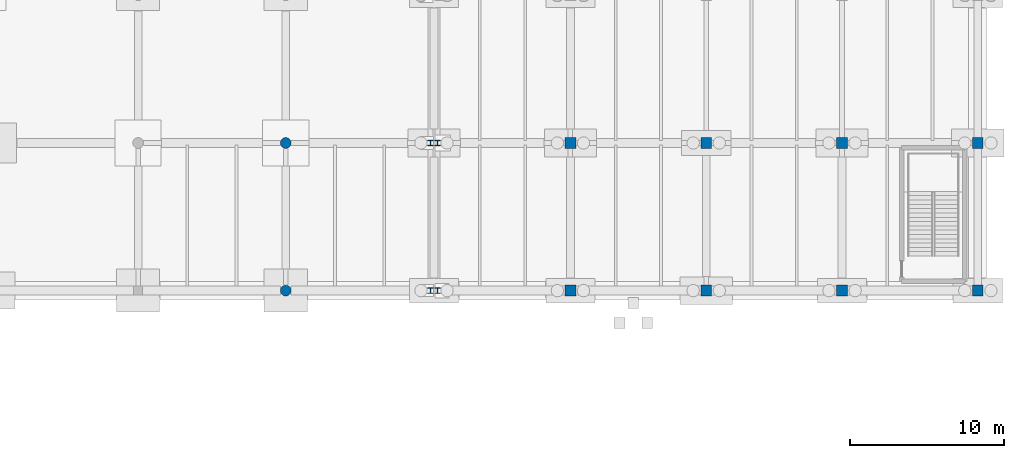
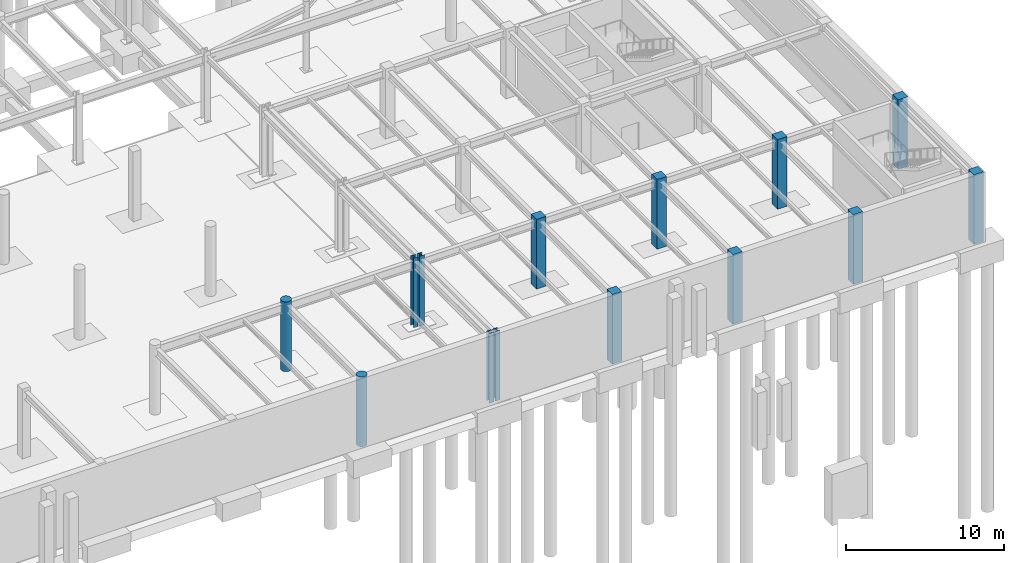
# One storey, part 24 of 50: 14 columns.
"""IFC4 building model written with IfcOpenShell, lengths in metres."""

from ifc_helpers import new_model, si_unit, direction, frame, origin, origin_2d, place, context, subcontext, project, spatial, rectangle, circle, i_section, extrude, material, material_profile, profile_set, type_object, element, save


model = new_model("IFC4")

# Units and contexts
model_context = context("Model", 3, precision=1e-05, world=origin(), true_north=direction((0.0, 1.0)))
body_context = subcontext(model_context, "Body", "Model", "MODEL_VIEW")
ifc_project = project(units=[si_unit("LENGTHUNIT", "METRE"), si_unit("AREAUNIT", "SQUARE_METRE"), si_unit("VOLUMEUNIT", "CUBIC_METRE"), si_unit("PLANEANGLEUNIT", "RADIAN"), si_unit("MASSUNIT", "GRAM", prefix="KILO")], contexts=[model_context])

# Site, building, storey
site_placement = place(None, origin())
site = spatial("IfcSite", under=ifc_project, at=site_placement, CompositionType="ELEMENT")
building_placement = place(site_placement, origin())
building = spatial("IfcBuilding", under=site, at=building_placement, Name="Yeouljin Market Hall", CompositionType="ELEMENT")
storey_placement = place(building_placement, frame((0.0, 0.0, -5.39990234375)))
storey = spatial("IfcBuildingStorey", under=building, at=storey_placement, Name="B1", CompositionType="ELEMENT", Elevation=-5.39990234375)

# Columns
ifc_material_1 = material(Name="Steel SM355", Category="steel")
ifc_material_profile_1 = material_profile(ifc_material_1, i_section(OverallWidth=0.35009765625, OverallDepth=0.35009765625, WebThickness=0.011962890625, FlangeThickness=0.01904296875, FilletRadius=0.02001953125, at=origin_2d()), Name="H-350x350x12x19")
ifc_profile_set_1 = profile_set([ifc_material_profile_1], Name="Steel SM355")
column_type_1 = type_object("IfcColumnType", Name="Col_H-350x350x12x19", PredefinedType="COLUMN", material=ifc_profile_set_1)
for number, where, z_axis, x_axis, name in (
    (1, (140.81005859375, 0.0, 0.0), (0.0, 0.0, 1.0), (1.0, 0.0, 0.0), "Column G-16-00 (B1)"),
    (2, (140.81005859375, 9.60009765625, 0.0), (0.0, 0.0, 1.0), (1.0, 0.0, 0.0), "Column G-16-01 (B1)"),
    (3, (141.27001953125, 0.0, 0.0), (0.0, 0.0, 1.0), (1.0, 0.0, 0.0), "Column G-17-00 (B1)"),
    (4, (141.27001953125, 9.60009765625, 0.0), (0.0, 0.0, 1.0), (1.0, 0.0, 0.0), "Column G-17-01 (B1)"),
):
    element("IfcColumn", number, at=place(storey_placement, frame(where, z_axis=z_axis, x_axis=x_axis)), inside=storey, type_object=column_type_1, Name=name, PredefinedType="COLUMN", context=body_context, shape_type="SweptSolid", body=[
        extrude(i_section(OverallWidth=0.35009765625, OverallDepth=0.35009765625, WebThickness=0.011962890625, FlangeThickness=0.01904296875, FilletRadius=0.02001953125, at=origin_2d()), origin(), (0.0, 0.0, 1.0), 5.39990234375),
    ])
ifc_material_2 = material(Name="Concrete C35/45", Category="concrete")
ifc_material_profile_2 = material_profile(ifc_material_2, rectangle(XDim=0.699951171875, YDim=0.699951171875, at=origin_2d()), Name="RC-700x700")
ifc_profile_set_2 = profile_set([ifc_material_profile_2], Name="Concrete C35/45")
column_type_2 = type_object("IfcColumnType", Name="Col_RC-700x700", PredefinedType="COLUMN", material=ifc_profile_set_2)
for number, where, z_axis, x_axis, name in (
    (5, (149.909912109375, 0.0, 0.0), (0.0, 0.0, 1.0), (1.0, 0.0, 0.0), "Column G-18-00 (B1)"),
    (6, (149.909912109375, 9.60009765625, 0.0), (0.0, 0.0, 1.0), (1.0, 0.0, 0.0), "Column G-18-01 (B1)"),
    (7, (158.739990234375, 0.0, 0.0), (0.0, 0.0, 1.0), (1.0, 0.0, 0.0), "Column G-19-00 (B1)"),
    (8, (158.739990234375, 9.60009765625, 0.0), (0.0, 0.0, 1.0), (1.0, 0.0, 0.0), "Column G-19-01 (B1)"),
    (9, (167.570068359375, 0.0, 0.0), (0.0, 0.0, 1.0), (1.0, 0.0, 0.0), "Column G-20-00 (B1)"),
    (10, (167.570068359375, 9.60009765625, 0.0), (0.0, 0.0, 1.0), (1.0, 0.0, 0.0), "Column G-20-01 (B1)"),
    (11, (176.39990234375, 0.0, 0.0), (0.0, 0.0, 1.0), (1.0, 0.0, 0.0), "Column G-21-00 (B1)"),
    (12, (176.39990234375, 9.60009765625, 0.0), (0.0, 0.0, 1.0), (1.0, 0.0, 0.0), "Column G-21-01 (B1)"),
):
    element("IfcColumn", number, at=place(storey_placement, frame(where, z_axis=z_axis, x_axis=x_axis)), inside=storey, type_object=column_type_2, Name=name, PredefinedType="COLUMN", context=body_context, shape_type="SweptSolid", body=[
        extrude(rectangle(XDim=0.699951171875, YDim=0.699951171875, at=origin_2d()), origin(), (0.0, 0.0, 1.0), 5.39990234375),
    ])
ifc_material_3 = material(Name="Concrete C35/45", Category="concrete")
ifc_material_profile_3 = material_profile(ifc_material_3, circle(Radius=0.35009765625, at=origin_2d()), Name="RC-D700")
ifc_profile_set_3 = profile_set([ifc_material_profile_3], Name="Concrete C35/45")
column_type_3 = type_object("IfcColumnType", Name="Col_RC-D700", PredefinedType="COLUMN", material=ifc_profile_set_3)
for number, where, z_axis, x_axis, name in (
    (13, (131.39990234375, 0.0, 0.0), (0.0, 0.0, 1.0), (1.0, 0.0, 0.0), "Column G-15-00 (B1)"),
    (14, (131.39990234375, 9.60009765625, 0.0), (0.0, 0.0, 1.0), (1.0, 0.0, 0.0), "Column G-15-01 (B1)"),
):
    element("IfcColumn", number, at=place(storey_placement, frame(where, z_axis=z_axis, x_axis=x_axis)), inside=storey, type_object=column_type_3, Name=name, PredefinedType="COLUMN", context=body_context, shape_type="SweptSolid", body=[
        extrude(circle(Radius=0.35009765625, at=origin_2d()), origin(), (0.0, 0.0, 1.0), 5.39990234375),
    ])

save(model, "model.ifc")
